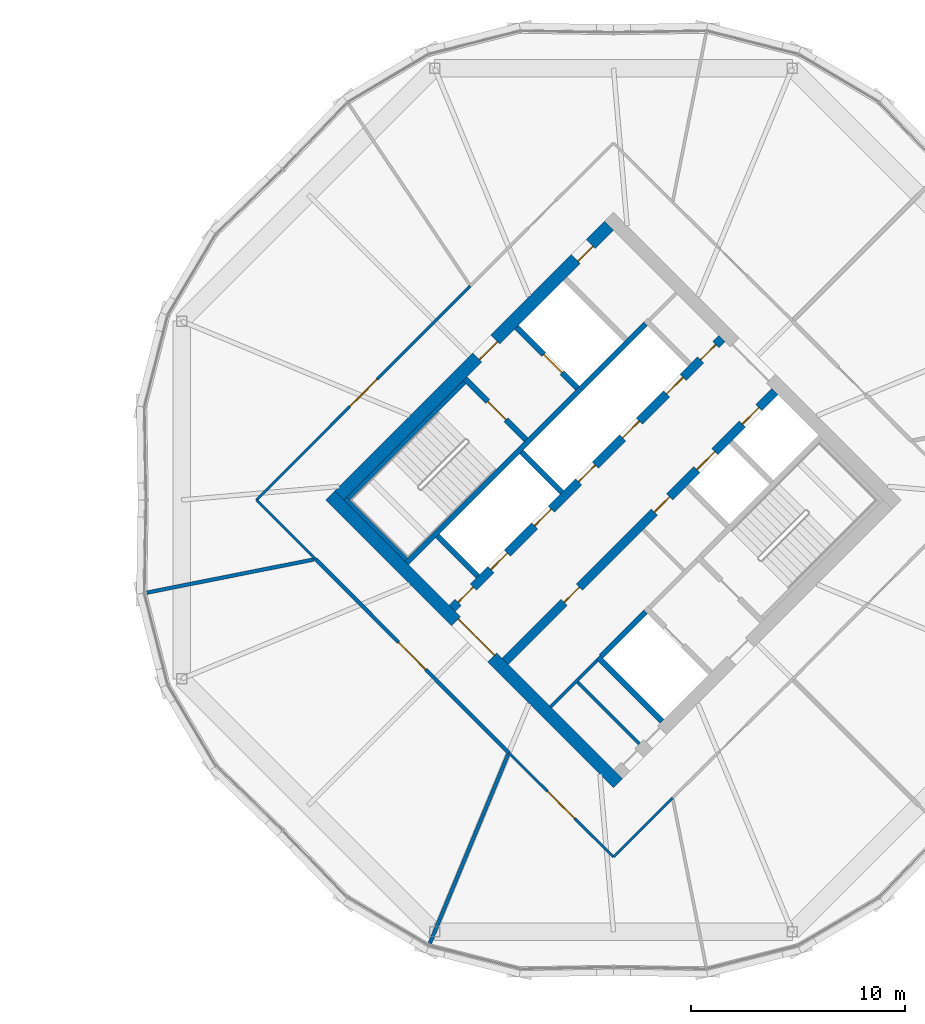
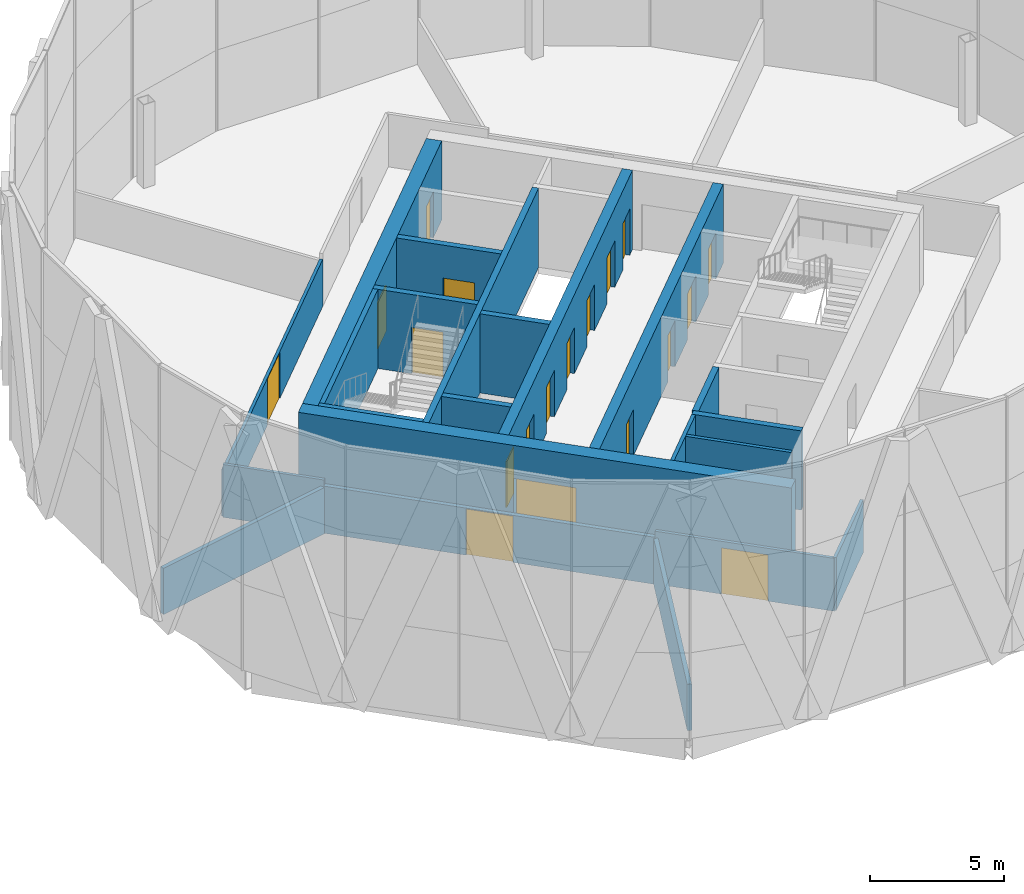
# One storey, part 19 of 23: 22 walls, 19 doors, 19 openings.
"""IFC4 building model written with IfcOpenShell, lengths in metres."""

from ifc_helpers import new_model, si_unit, direction, frame, frame_2d, origin, place, context, subcontext, project, spatial, rectangle, extrude, material, layer, layer_set, type_object, element, fill, save


model = new_model("IFC4")

# Units and contexts
model_context = context("Model", 3, precision=1e-05, world=origin(), true_north=direction((0.0, 1.0)))
body_context = subcontext(model_context, "Body", "Model", "MODEL_VIEW")
ifc_project = project(units=[si_unit("LENGTHUNIT", "METRE"), si_unit("AREAUNIT", "SQUARE_METRE"), si_unit("VOLUMEUNIT", "CUBIC_METRE"), si_unit("PLANEANGLEUNIT", "RADIAN"), si_unit("MASSUNIT", "GRAM", prefix="KILO")], contexts=[model_context])

# Site, building, storey
site_placement = place(None, origin())
site = spatial("IfcSite", under=ifc_project, at=site_placement, CompositionType="ELEMENT")
building_placement = place(site_placement, origin())
building = spatial("IfcBuilding", under=site, at=building_placement, Name="Ogive Gate Towers", CompositionType="ELEMENT")
storey_placement = place(building_placement, frame((0.0, 0.0, 177.300048828125)))
storey = spatial("IfcBuildingStorey", under=building, at=storey_placement, Name="L42", CompositionType="ELEMENT", Elevation=177.300048828125)

# Walls
ifc_material_1 = material(Name="Gypsum board acoustic partition")
ifc_layer_1 = layer(ifc_material_1, 0.175048828125)
ifc_layer_set_1 = layer_set([ifc_layer_1], Name="Acoustic partition 175")
wall_type_1 = type_object("IfcWallType", Name="Acoustic partition 175", PredefinedType="PARTITIONING", material=ifc_layer_set_1)
wall_1_placement = place(storey_placement, frame((14.215576171875, -4.324951171875, 0.0), z_axis=(0.0, 0.0, 1.0), x_axis=(0.980858380129, 0.19472246437, 0.0)))
element("IfcWall", 1, at=wall_1_placement, inside=storey, type_object=wall_type_1, Name="Partition T2-L42-005", PredefinedType="PARTITIONING", context=body_context, shape_type="SweptSolid", body=[
    extrude(rectangle(XDim=7.951416015625, YDim=0.175048828125, at=frame_2d((3.9755859375, 0.0))), origin(), (0.0, 0.0, 1.0), 2.099853515625),
])
wall_2_placement = place(storey_placement, frame((27.424072265625, -20.7041015625, 0.0), z_axis=(0.0, 0.0, 1.0), x_axis=(0.38267612342, 0.923882559942, 0.0)))
element("IfcWall", 2, at=wall_2_placement, inside=storey, type_object=wall_type_1, Name="Partition T2-L42-006", PredefinedType="PARTITIONING", context=body_context, shape_type="SweptSolid", body=[
    extrude(rectangle(XDim=9.55126953125, YDim=0.175048828125, at=frame_2d((4.775634765625, 0.0))), origin(), (0.0, 0.0, 1.0), 2.099853515625),
])

# Wall, opening, door
wall_3_placement = place(storey_placement, frame((22.1005859375, -2.759521484375, 0.0), z_axis=(0.0, 0.0, 1.0), x_axis=(0.706044450355, -0.708167518405, 0.0)))
wall_3 = element("IfcWall", 3, at=wall_3_placement, inside=storey, type_object=wall_type_1, Name="Partition T2-L42-014", PredefinedType="PARTITIONING", context=body_context, shape_type="SweptSolid", body=[
    extrude(rectangle(XDim=12.764404296875, YDim=0.175048828125, at=frame_2d((6.38232421875, 0.0))), origin(), (0.0, 0.0, 1.0), 2.139892578125),
])
opening_1_placement = place(wall_3_placement, frame((5.48193359375, 0.0, 0.0)))
opening_1 = element("IfcOpeningElement", 4, at=opening_1_placement, cuts=wall_3, Name="Opening T2-L42-D04", PredefinedType="OPENING", context=body_context, shape_type="SweptSolid", body=[
    extrude(rectangle(XDim=1.800048828125, YDim=2.10009765625, at=frame_2d((0.89990234375, 1.050048828125))), frame((0.0, 0.09765625, 0.0), z_axis=(0.0, -1.0, 0.0), x_axis=(1.0, 0.0, 0.0)), (0.0, 0.0, 1.0), 0.195068359375),
])
ifc_material_2 = material(Name="Timber door", Category="wood")
door_type_1 = type_object("IfcDoorType", Name="Door pair 1800", OperationType="NOTDEFINED", PredefinedType="DOOR", material=ifc_material_2)
door_1_placement = place(opening_1_placement, origin())
door_1 = element("IfcDoor", 5, at=door_1_placement, inside=storey, type_object=door_type_1, Name="Door T2-L42-D04", OperationType="DOUBLE_DOOR_DOUBLE_SWING", OverallHeight=2.10009765625, OverallWidth=1.800048828125, PredefinedType="DOOR", context=body_context, shape_type="SweptSolid", body=[
    extrude(rectangle(XDim=1.800048828125, YDim=2.10009765625, at=frame_2d((0.89990234375, 1.050048828125))), frame((0.0, 0.02490234375, 0.0), z_axis=(0.0, -1.0, 0.0), x_axis=(1.0, 0.0, 0.0)), (0.0, 0.0, 1.0), 0.050048828125),
])
fill(opening_1, door_1)

# Wall, openings, doors
ifc_material_3 = material(Name="Concrete C60/75", Category="concrete")
ifc_layer_2 = layer(ifc_material_3, 0.60009765625)
ifc_layer_set_2 = layer_set([ifc_layer_2], Name="Core wall 600 mm")
wall_type_2 = type_object("IfcWallType", Name="Core wall 600 mm", PredefinedType="SHEAR", material=ifc_layer_set_2)
wall_4_placement = place(storey_placement, frame((23.201416015625, 0.212158203125, 0.0), z_axis=(0.0, 0.0, 1.0), x_axis=(0.707106781187, 0.707106781187, 0.0)))
wall_4 = element("IfcWall", 6, at=wall_4_placement, inside=storey, type_object=wall_type_2, Name="T2 L42 Core wall 600 mm", PredefinedType="SHEAR", context=body_context, shape_type="SweptSolid", body=[
    extrude(rectangle(XDim=17.7998046875, YDim=0.60009765625, at=frame_2d((8.89990234375, 0.0))), origin(), (0.0, 0.0, 1.0), 3.599853515625),
])
opening_2_placement = place(wall_4_placement, frame((9.10009765625, 0.0, 0.0)))
opening_2 = element("IfcOpeningElement", 7, at=opening_2_placement, cuts=wall_4, Name="Opening KD-T2-L42-18", PredefinedType="OPENING", context=body_context, shape_type="SweptSolid", body=[
    extrude(rectangle(XDim=1.199951171875, YDim=2.10009765625, at=frame_2d((0.60009765625, 1.050048828125))), frame((0.0, 0.31005859375, 0.0), z_axis=(0.0, -1.0, 0.0), x_axis=(1.0, 0.0, 0.0)), (0.0, 0.0, 1.0), 0.6201171875),
])
opening_3_placement = place(wall_4_placement, frame((15.60009765625, 0.0, 0.0)))
opening_3 = element("IfcOpeningElement", 8, at=opening_3_placement, cuts=wall_4, Name="Opening KD-T2-L42-20", PredefinedType="OPENING", context=body_context, shape_type="SweptSolid", body=[
    extrude(rectangle(XDim=1.0, YDim=2.10009765625, at=frame_2d((0.5, 1.050048828125))), frame((0.0, 0.31005859375, 0.0), z_axis=(0.0, -1.0, 0.0), x_axis=(1.0, 0.0, 0.0)), (0.0, 0.0, 1.0), 0.6201171875),
])
door_type_2 = type_object("IfcDoorType", Name="Accessible WC door 1000 x 2100", OperationType="NOTDEFINED", PredefinedType="DOOR", material=ifc_material_2)
door_2_placement = place(opening_3_placement, origin())
door_2 = element("IfcDoor", 9, at=door_2_placement, inside=storey, type_object=door_type_2, Name="T2 L42 Core door", OperationType="SINGLE_SWING_LEFT", OverallHeight=2.10009765625, OverallWidth=1.0, PredefinedType="DOOR", context=body_context, shape_type="SweptSolid", body=[
    extrude(rectangle(XDim=1.0, YDim=2.10009765625, at=frame_2d((0.5, 1.050048828125))), frame((0.0, -0.125, 0.0), z_axis=(0.0, -1.0, 0.0), x_axis=(1.0, 0.0, 0.0)), (0.0, 0.0, 1.0), 0.050048828125),
])
fill(opening_3, door_2)
ifc_material_4 = material(Name="Steel fire door", Category="steel")
door_type_3 = type_object("IfcDoorType", Name="Core door FD60S 1200 x 2100", OperationType="NOTDEFINED", PredefinedType="DOOR", material=ifc_material_4)
door_3_placement = place(opening_2_placement, origin())
door_3 = element("IfcDoor", 10, at=door_3_placement, inside=storey, type_object=door_type_3, Name="T2 L42 Fire-fighting lobby door", OperationType="SINGLE_SWING_LEFT", OverallHeight=2.10009765625, OverallWidth=1.199951171875, PredefinedType="DOOR", context=body_context, shape_type="SweptSolid", body=[
    extrude(rectangle(XDim=1.199951171875, YDim=2.10009765625, at=frame_2d((0.60009765625, 1.050048828125))), frame((0.0, -0.125, 0.0), z_axis=(0.0, -1.0, 0.0), x_axis=(1.0, 0.0, 0.0)), (0.0, 0.0, 1.0), 0.050048828125),
])
fill(opening_2, door_3)

# Wall, opening, door
wall_5_placement = place(storey_placement, frame((36.212158203125, -13.222900390625, 0.0), z_axis=(0.0, 0.0, 1.0), x_axis=(-0.707106781187, 0.707106781187, 0.0)))
wall_5 = element("IfcWall", 11, at=wall_5_placement, inside=storey, type_object=wall_type_2, Name="T2 L42 Core wall 600 mm", PredefinedType="SHEAR", context=body_context, shape_type="SweptSolid", body=[
    extrude(rectangle(XDim=19.0, YDim=0.60009765625, at=frame_2d((9.5, 0.0))), origin(), (0.0, 0.0, 1.0), 3.599853515625),
])
opening_4_placement = place(wall_5_placement, frame((8.300048828125, 0.0, 0.0)))
opening_4 = element("IfcOpeningElement", 12, at=opening_4_placement, cuts=wall_5, Name="Opening KD-T2-L42-01", PredefinedType="OPENING", context=body_context, shape_type="SweptSolid", body=[
    extrude(rectangle(XDim=2.39990234375, YDim=2.10009765625, at=frame_2d((1.199951171875, 1.050048828125))), frame((0.0, 0.31005859375, 0.0), z_axis=(0.0, -1.0, 0.0), x_axis=(1.0, 0.0, 0.0)), (0.0, 0.0, 1.0), 0.6201171875),
])
door_type_4 = type_object("IfcDoorType", Name="Core double door FD60S 2400 x 2100", OperationType="DOUBLE_DOOR_SINGLE_SWING", PredefinedType="DOOR", material=ifc_material_4)
door_4_placement = place(opening_4_placement, origin())
door_4 = element("IfcDoor", 13, at=door_4_placement, inside=storey, type_object=door_type_4, Name="T2 L42 Core door double", OperationType="DOUBLE_DOOR_SINGLE_SWING", OverallHeight=2.10009765625, OverallWidth=2.39990234375, PredefinedType="DOOR", context=body_context, shape_type="SweptSolid", body=[
    extrude(rectangle(XDim=2.39990234375, YDim=2.10009765625, at=frame_2d((1.199951171875, 1.050048828125))), frame((0.0, -0.125, 0.0), z_axis=(0.0, -1.0, 0.0), x_axis=(1.0, 0.0, 0.0)), (0.0, 0.0, 1.0), 0.050048828125),
])
fill(opening_4, door_4)

ifc_material_5 = material(Name="Gypsum board partition")
ifc_layer_3 = layer(ifc_material_5, 0.125)
ifc_layer_set_3 = layer_set([ifc_layer_3], Name="Partition 125")
wall_type_3 = type_object("IfcWallType", Name="Partition 125", PredefinedType="PARTITIONING", material=ifc_layer_set_3)
wall_6_placement = place(storey_placement, frame((29.318115234375, 9.9921875, 0.0), z_axis=(0.0, 0.0, 1.0), x_axis=(-0.706587905496, -0.707625276405, 0.0)))
wall_6 = element("IfcWall", 14, at=wall_6_placement, inside=storey, type_object=wall_type_3, Name="Partition T2-L42-012", PredefinedType="PARTITIONING", context=body_context, shape_type="SweptSolid", body=[
    extrude(rectangle(XDim=14.120849609375, YDim=0.125, at=frame_2d((7.060546875, 0.0))), origin(), (0.0, 0.0, 1.0), 2.139892578125),
])
opening_5_placement = place(wall_6_placement, frame((6.159912109375, 0.0, 0.0)))
opening_5 = element("IfcOpeningElement", 15, at=opening_5_placement, cuts=wall_6, Name="Opening T2-L42-D03", PredefinedType="OPENING", context=body_context, shape_type="SweptSolid", body=[
    extrude(rectangle(XDim=1.800048828125, YDim=2.10009765625, at=frame_2d((0.89990234375, 1.050048828125))), frame((0.0, 0.072509765625, 0.0), z_axis=(0.0, -1.0, 0.0), x_axis=(1.0, 0.0, 0.0)), (0.0, 0.0, 1.0), 0.14501953125),
])
door_5_placement = place(opening_5_placement, origin())
door_5 = element("IfcDoor", 16, at=door_5_placement, inside=storey, type_object=door_type_1, Name="Door T2-L42-D03", OperationType="DOUBLE_DOOR_DOUBLE_SWING", OverallHeight=2.10009765625, OverallWidth=1.800048828125, PredefinedType="DOOR", context=body_context, shape_type="SweptSolid", body=[
    extrude(rectangle(XDim=1.800048828125, YDim=2.10009765625, at=frame_2d((0.89990234375, 1.050048828125))), frame((0.0, 0.02490234375, 0.0), z_axis=(0.0, -1.0, 0.0), x_axis=(1.0, 0.0, 0.0)), (0.0, 0.0, 1.0), 0.050048828125),
])
fill(opening_5, door_5)

# Wall
wall_7_placement = place(storey_placement, frame((19.340576171875, 0.0, 0.0), z_axis=(0.0, 0.0, 1.0), x_axis=(0.707169332098, -0.707044224741, 0.0)))
element("IfcWall", 17, at=wall_7_placement, inside=storey, type_object=wall_type_3, Name="Partition T2-L42-013", PredefinedType="PARTITIONING", context=body_context, shape_type="SweptSolid", body=[
    extrude(rectangle(XDim=3.90283203125, YDim=0.125, at=frame_2d((1.951416015625, 0.0))), origin(), (0.0, 0.0, 1.0), 2.39990234375),
])

# Wall, opening, door
wall_8_placement = place(storey_placement, frame((31.11279296875, -11.798828125, 0.0), z_axis=(0.0, 0.0, 1.0), x_axis=(0.709034527983, -0.705173764492, 0.0)))
wall_8 = element("IfcWall", 18, at=wall_8_placement, inside=storey, type_object=wall_type_3, Name="Partition T2-L42-015", PredefinedType="PARTITIONING", context=body_context, shape_type="SweptSolid", body=[
    extrude(rectangle(XDim=6.892822265625, YDim=0.125, at=frame_2d((3.4462890625, 0.0))), origin(), (0.0, 0.0, 1.0), 2.39990234375),
])
opening_6_placement = place(wall_8_placement, frame((2.5458984375, 0.0, 0.0)))
opening_6 = element("IfcOpeningElement", 19, at=opening_6_placement, cuts=wall_8, Name="Opening T2-L42-D05", PredefinedType="OPENING", context=body_context, shape_type="SweptSolid", body=[
    extrude(rectangle(XDim=1.800048828125, YDim=2.10009765625, at=frame_2d((0.89990234375, 1.050048828125))), frame((0.0, 0.072509765625, 0.0), z_axis=(0.0, -1.0, 0.0), x_axis=(1.0, 0.0, 0.0)), (0.0, 0.0, 1.0), 0.14501953125),
])
door_6_placement = place(opening_6_placement, origin())
door_6 = element("IfcDoor", 20, at=door_6_placement, inside=storey, type_object=door_type_1, Name="Door T2-L42-D05", OperationType="DOUBLE_DOOR_DOUBLE_SWING", OverallHeight=2.10009765625, OverallWidth=1.800048828125, PredefinedType="DOOR", context=body_context, shape_type="SweptSolid", body=[
    extrude(rectangle(XDim=1.800048828125, YDim=2.10009765625, at=frame_2d((0.89990234375, 1.050048828125))), frame((0.0, 0.02490234375, 0.0), z_axis=(0.0, -1.0, 0.0), x_axis=(1.0, 0.0, 0.0)), (0.0, 0.0, 1.0), 0.050048828125),
])
fill(opening_6, door_6)

# Walls
wall_9_placement = place(storey_placement, frame((36.0, -16.659423828125, 0.0), z_axis=(0.0, 0.0, 1.0), x_axis=(0.707044224741, 0.707169332098, 0.0)))
element("IfcWall", 21, at=wall_9_placement, inside=storey, type_object=wall_type_3, Name="Partition T2-L42-016", PredefinedType="PARTITIONING", context=body_context, shape_type="SweptSolid", body=[
    extrude(rectangle(XDim=3.90283203125, YDim=0.125, at=frame_2d((1.951416015625, 0.0))), origin(), (0.0, 0.0, 1.0), 2.39990234375),
])
ifc_layer_4 = layer(ifc_material_5, 0.14990234375)
ifc_layer_set_4 = layer_set([ifc_layer_4], Name="Room partition 150 mm")
wall_type_4 = type_object("IfcWallType", Name="Room partition 150 mm", PredefinedType="PARTITIONING", material=ifc_layer_set_4)
wall_10_placement = place(storey_placement, frame((33.0654296875, -9.652099609375, 0.0), z_axis=(0.0, 0.0, 1.0), x_axis=(0.707146476181, 0.707067083964, 0.0)))
element("IfcWall", 22, at=wall_10_placement, inside=storey, type_object=wall_type_4, Name="T2 L42 Room partition 150 mm", PredefinedType="PARTITIONING", context=body_context, shape_type="SweptSolid", body=[
    extrude(rectangle(XDim=3.0751953125, YDim=0.14990234375, at=frame_2d((1.53759765625, 0.0))), origin(), (0.0, 0.0, 1.0), 3.599853515625),
])
wall_11_placement = place(storey_placement, frame((37.2021484375, -11.384521484375, 0.0), z_axis=(0.0, 0.0, 1.0), x_axis=(-0.707106781187, 0.707106781187, 0.0)))
element("IfcWall", 23, at=wall_11_placement, inside=storey, type_object=wall_type_4, Name="T2 L42 Room partition 150 mm", PredefinedType="PARTITIONING", context=body_context, shape_type="SweptSolid", body=[
    extrude(rectangle(XDim=4.0751953125, YDim=0.14990234375, at=frame_2d((2.03759765625, 0.0))), origin(), (0.0, 0.0, 1.0), 3.599853515625),
])
ifc_layer_5 = layer(ifc_material_3, 0.25)
ifc_layer_set_5 = layer_set([ifc_layer_5], Name="Shaft wall 250 mm")
wall_type_5 = type_object("IfcWallType", Name="Shaft wall 250 mm", PredefinedType="SHEAR", material=ifc_layer_set_5)
wall_12_placement = place(storey_placement, frame((35.41650390625, -7.30078125, 0.0), z_axis=(0.0, 0.0, 1.0), x_axis=(0.707148157867, 0.707065402085, 0.0)))
element("IfcWall", 24, at=wall_12_placement, inside=storey, type_object=wall_type_5, Name="T2 L42 Shaft wall 250 mm", PredefinedType="SHEAR", context=body_context, shape_type="SweptSolid", body=[
    extrude(rectangle(XDim=2.9501953125, YDim=0.25, at=frame_2d((1.47509765625, 0.0))), origin(), (0.0, 0.0, 1.0), 3.599853515625),
])
wall_13_placement = place(storey_placement, frame((26.347900390625, -2.9345703125, 0.0), z_axis=(0.0, 0.0, 1.0), x_axis=(0.707106781187, 0.707106781187, 0.0)))
element("IfcWall", 25, at=wall_13_placement, inside=storey, type_object=wall_type_5, Name="T2 L42 Shaft wall 250 mm", PredefinedType="SHEAR", context=body_context, shape_type="SweptSolid", body=[
    extrude(rectangle(XDim=15.775146484375, YDim=0.25, at=frame_2d((7.8876953125, 0.0))), origin(), (0.0, 0.0, 1.0), 3.599853515625),
])
wall_14_placement = place(storey_placement, frame((29.67138671875, -3.57080078125, 0.0), z_axis=(0.0, 0.0, 1.0), x_axis=(-0.707152414227, 0.707061145201, 0.0)))
element("IfcWall", 26, at=wall_14_placement, inside=storey, type_object=wall_type_5, Name="T2 L42 Shaft wall 250 mm", PredefinedType="SHEAR", context=body_context, shape_type="SweptSolid", body=[
    extrude(rectangle(XDim=2.675048828125, YDim=0.25, at=frame_2d((1.33740234375, 0.0))), origin(), (0.0, 0.0, 1.0), 3.599853515625),
])
wall_15_placement = place(storey_placement, frame((38.2626953125, -10.32373046875, 0.0), z_axis=(0.0, 0.0, 1.0), x_axis=(-0.707106781187, 0.707106781187, 0.0)))
element("IfcWall", 27, at=wall_15_placement, inside=storey, type_object=wall_type_5, Name="T2 L42 Shaft wall 250 mm", PredefinedType="SHEAR", context=body_context, shape_type="SweptSolid", body=[
    extrude(rectangle(XDim=4.22509765625, YDim=0.25, at=frame_2d((2.112548828125, 0.0))), origin(), (0.0, 0.0, 1.0), 3.599853515625),
])
wall_16_placement = place(storey_placement, frame((33.595703125, 0.353515625, 0.0), z_axis=(0.0, 0.0, 1.0), x_axis=(-0.707061145201, 0.707152414227, 0.0)))
element("IfcWall", 28, at=wall_16_placement, inside=storey, type_object=wall_type_5, Name="T2 L42 Shaft wall 250 mm", PredefinedType="SHEAR", context=body_context, shape_type="SweptSolid", body=[
    extrude(rectangle(XDim=2.675048828125, YDim=0.25, at=frame_2d((1.33740234375, 0.0))), origin(), (0.0, 0.0, 1.0), 3.599853515625),
])

# Wall, opening, door
wall_17_placement = place(storey_placement, frame((31.91650390625, 2.810791015625, 0.0), z_axis=(0.0, 0.0, 1.0), x_axis=(-0.707106781187, 0.707106781187, 0.0)))
wall_17 = element("IfcWall", 29, at=wall_17_placement, inside=storey, type_object=wall_type_5, Name="T2 L42 Shaft wall 250 mm", PredefinedType="SHEAR", context=body_context, shape_type="SweptSolid", body=[
    extrude(rectangle(XDim=4.025146484375, YDim=0.25, at=frame_2d((2.0126953125, 0.0))), origin(), (0.0, 0.0, 1.0), 3.599853515625),
])
opening_7_placement = place(wall_17_placement, frame((1.324951171875, 0.0, 0.0)))
opening_7 = element("IfcOpeningElement", 30, at=opening_7_placement, cuts=wall_17, Name="Opening KD-T2-L42-16", PredefinedType="OPENING", context=body_context, shape_type="SweptSolid", body=[
    extrude(rectangle(XDim=1.199951171875, YDim=2.10009765625, at=frame_2d((0.60009765625, 1.050048828125))), frame((0.0, 0.135009765625, 0.0), z_axis=(0.0, -1.0, 0.0), x_axis=(1.0, 0.0, 0.0)), (0.0, 0.0, 1.0), 0.27001953125),
])
door_7_placement = place(opening_7_placement, origin())
door_7 = element("IfcDoor", 31, at=door_7_placement, inside=storey, type_object=door_type_3, Name="T2 L42 Stair door", OperationType="SINGLE_SWING_LEFT", OverallHeight=2.10009765625, OverallWidth=1.199951171875, PredefinedType="DOOR", context=body_context, shape_type="SweptSolid", body=[
    extrude(rectangle(XDim=1.199951171875, YDim=2.10009765625, at=frame_2d((0.60009765625, 1.050048828125))), frame((0.0, 0.02490234375, 0.0), z_axis=(0.0, -1.0, 0.0), x_axis=(1.0, 0.0, 0.0)), (0.0, 0.0, 1.0), 0.050048828125),
])
fill(opening_7, door_7)

wall_18_placement = place(storey_placement, frame((34.320556640625, 5.21484375, 0.0), z_axis=(0.0, 0.0, 1.0), x_axis=(-0.70707645213, 0.707137108942, 0.0)))
wall_18 = element("IfcWall", 32, at=wall_18_placement, inside=storey, type_object=wall_type_5, Name="T2 L42 Shaft wall 250 mm", PredefinedType="SHEAR", context=body_context, shape_type="SweptSolid", body=[
    extrude(rectangle(XDim=4.02490234375, YDim=0.25, at=frame_2d((2.012451171875, 0.0))), origin(), (0.0, 0.0, 1.0), 3.599853515625),
])
opening_8_placement = place(wall_18_placement, frame((1.02490234375, 0.0, 0.0)))
opening_8 = element("IfcOpeningElement", 33, at=opening_8_placement, cuts=wall_18, Name="Opening LD-T2-L42-12", PredefinedType="OPENING", context=body_context, shape_type="SweptSolid", body=[
    extrude(rectangle(XDim=1.199951171875, YDim=2.10009765625, at=frame_2d((0.60009765625, 1.050048828125))), frame((0.0, 0.135009765625, 0.0), z_axis=(0.0, -1.0, 0.0), x_axis=(1.0, 0.0, 0.0)), (0.0, 0.0, 1.0), 0.27001953125),
])
ifc_material_6 = material(Name="Stainless steel landing door", Category="steel")
door_type_5 = type_object("IfcDoorType", Name="Landing door 1200 x 2100", OperationType="SLIDING_TO_LEFT", PredefinedType="DOOR", material=ifc_material_6)
door_8_placement = place(opening_8_placement, origin())
door_8 = element("IfcDoor", 34, at=door_8_placement, inside=storey, type_object=door_type_5, Name="T2 L42 Lift landing door FF1", OperationType="SLIDING_TO_LEFT", OverallHeight=2.10009765625, OverallWidth=1.199951171875, PredefinedType="DOOR", context=body_context, shape_type="SweptSolid", body=[
    extrude(rectangle(XDim=1.199951171875, YDim=2.10009765625, at=frame_2d((0.60009765625, 1.050048828125))), frame((0.0, 0.02490234375, 0.0), z_axis=(0.0, -1.0, 0.0), x_axis=(1.0, 0.0, 0.0)), (0.0, 0.0, 1.0), 0.050048828125),
])
fill(opening_8, door_8)

# Wall, openings, doors
ifc_layer_6 = layer(ifc_material_3, 0.39990234375)
ifc_layer_set_6 = layer_set([ifc_layer_6], Name="Spine wall 400 mm")
wall_type_6 = type_object("IfcWallType", Name="Spine wall 400 mm", PredefinedType="SHEAR", material=ifc_layer_set_6)
wall_19_placement = place(storey_placement, frame((30.944091796875, -7.53076171875, 0.0), z_axis=(0.0, 0.0, 1.0), x_axis=(0.707106781187, 0.707106781187, 0.0)))
wall_19 = element("IfcWall", 35, at=wall_19_placement, inside=storey, type_object=wall_type_6, Name="T2 L42 Spine wall 400 mm", PredefinedType="SHEAR", context=body_context, shape_type="SweptSolid", body=[
    extrude(rectangle(XDim=17.80029296875, YDim=0.39990234375, at=frame_2d((8.900146484375, 0.0))), origin(), (0.0, 0.0, 1.0), 3.599853515625),
])
opening_9_placement = place(wall_19_placement, frame((12.64990234375, 0.0, 0.0)))
opening_9 = element("IfcOpeningElement", 36, at=opening_9_placement, cuts=wall_19, Name="Opening LD-T2-L42-10", PredefinedType="OPENING", context=body_context, shape_type="SweptSolid", body=[
    extrude(rectangle(XDim=1.199951171875, YDim=2.10009765625, at=frame_2d((0.60009765625, 1.050048828125))), frame((0.0, 0.2099609375, 0.0), z_axis=(0.0, -1.0, 0.0), x_axis=(1.0, 0.0, 0.0)), (0.0, 0.0, 1.0), 0.419921875),
])
opening_10_placement = place(wall_19_placement, frame((15.64990234375, 0.0, 0.0)))
opening_10 = element("IfcOpeningElement", 37, at=opening_10_placement, cuts=wall_19, Name="Opening LD-T2-L42-11", PredefinedType="OPENING", context=body_context, shape_type="SweptSolid", body=[
    extrude(rectangle(XDim=1.10009765625, YDim=2.10009765625, at=frame_2d((0.550048828125, 1.050048828125))), frame((0.0, 0.2099609375, 0.0), z_axis=(0.0, -1.0, 0.0), x_axis=(1.0, 0.0, 0.0)), (0.0, 0.0, 1.0), 0.419921875),
])
opening_11_placement = place(wall_19_placement, frame((3.89990234375, 0.0, 0.0)))
opening_11 = element("IfcOpeningElement", 38, at=opening_11_placement, cuts=wall_19, Name="Opening KD-T2-L42-14", PredefinedType="OPENING", context=body_context, shape_type="SweptSolid", body=[
    extrude(rectangle(XDim=1.0, YDim=2.10009765625, at=frame_2d((0.5, 1.050048828125))), frame((0.0, 0.2099609375, 0.0), z_axis=(0.0, -1.0, 0.0), x_axis=(1.0, 0.0, 0.0)), (0.0, 0.0, 1.0), 0.419921875),
])
opening_12_placement = place(wall_19_placement, frame((9.85009765625, 0.0, 0.0)))
opening_12 = element("IfcOpeningElement", 39, at=opening_12_placement, cuts=wall_19, Name="Opening KD-T2-L42-15", PredefinedType="OPENING", context=body_context, shape_type="SweptSolid", body=[
    extrude(rectangle(XDim=1.0, YDim=2.10009765625, at=frame_2d((0.5, 1.050048828125))), frame((0.0, 0.2099609375, 0.0), z_axis=(0.0, -1.0, 0.0), x_axis=(1.0, 0.0, 0.0)), (0.0, 0.0, 1.0), 0.419921875),
])
door_type_6 = type_object("IfcDoorType", Name="Core door FD60S 1000 x 2100", OperationType="NOTDEFINED", PredefinedType="DOOR", material=ifc_material_4)
door_9_placement = place(opening_11_placement, origin())
door_9 = element("IfcDoor", 40, at=door_9_placement, inside=storey, type_object=door_type_6, Name="T2 L42 Core door", OperationType="SINGLE_SWING_LEFT", OverallHeight=2.10009765625, OverallWidth=1.0, PredefinedType="DOOR", context=body_context, shape_type="SweptSolid", body=[
    extrude(rectangle(XDim=1.0, YDim=2.10009765625, at=frame_2d((0.5, 1.050048828125))), frame((0.0, 0.02490234375, 0.0), z_axis=(0.0, -1.0, 0.0), x_axis=(1.0, 0.0, 0.0)), (0.0, 0.0, 1.0), 0.050048828125),
])
fill(opening_11, door_9)
door_10_placement = place(opening_12_placement, origin())
door_10 = element("IfcDoor", 41, at=door_10_placement, inside=storey, type_object=door_type_6, Name="T2 L42 Core door", OperationType="SINGLE_SWING_RIGHT", OverallHeight=2.10009765625, OverallWidth=1.0, PredefinedType="DOOR", context=body_context, shape_type="SweptSolid", body=[
    extrude(rectangle(XDim=1.0, YDim=2.10009765625, at=frame_2d((0.5, 1.050048828125))), frame((0.0, 0.02490234375, 0.0), z_axis=(0.0, -1.0, 0.0), x_axis=(1.0, 0.0, 0.0)), (0.0, 0.0, 1.0), 0.050048828125),
])
fill(opening_12, door_10)
door_type_7 = type_object("IfcDoorType", Name="Landing door 1100 x 2100", OperationType="SLIDING_TO_LEFT", PredefinedType="DOOR", material=ifc_material_6)
door_11_placement = place(opening_10_placement, origin())
door_11 = element("IfcDoor", 42, at=door_11_placement, inside=storey, type_object=door_type_7, Name="T2 L42 Lift landing door B6", OperationType="SLIDING_TO_LEFT", OverallHeight=2.10009765625, OverallWidth=1.10009765625, PredefinedType="DOOR", context=body_context, shape_type="SweptSolid", body=[
    extrude(rectangle(XDim=1.10009765625, YDim=2.10009765625, at=frame_2d((0.550048828125, 1.050048828125))), frame((0.0, 0.02490234375, 0.0), z_axis=(0.0, -1.0, 0.0), x_axis=(1.0, 0.0, 0.0)), (0.0, 0.0, 1.0), 0.050048828125),
])
fill(opening_10, door_11)
door_12_placement = place(opening_9_placement, origin())
door_12 = element("IfcDoor", 43, at=door_12_placement, inside=storey, type_object=door_type_5, Name="T2 L42 Lift landing door SVC", OperationType="SLIDING_TO_LEFT", OverallHeight=2.10009765625, OverallWidth=1.199951171875, PredefinedType="DOOR", context=body_context, shape_type="SweptSolid", body=[
    extrude(rectangle(XDim=1.199951171875, YDim=2.10009765625, at=frame_2d((0.60009765625, 1.050048828125))), frame((0.0, 0.02490234375, 0.0), z_axis=(0.0, -1.0, 0.0), x_axis=(1.0, 0.0, 0.0)), (0.0, 0.0, 1.0), 0.050048828125),
])
fill(opening_9, door_12)

wall_20_placement = place(storey_placement, frame((28.46923828125, -5.055908203125, 0.0), z_axis=(0.0, 0.0, 1.0), x_axis=(0.707106781187, 0.707106781187, 0.0)))
wall_20 = element("IfcWall", 44, at=wall_20_placement, inside=storey, type_object=wall_type_6, Name="T2 L42 Spine wall 400 mm", PredefinedType="SHEAR", context=body_context, shape_type="SweptSolid", body=[
    extrude(rectangle(XDim=17.80029296875, YDim=0.39990234375, at=frame_2d((8.900146484375, 0.0))), origin(), (0.0, 0.0, 1.0), 3.599853515625),
])
opening_13_placement = place(wall_20_placement, frame((0.39990234375, 0.0, 0.0)))
opening_13 = element("IfcOpeningElement", 45, at=opening_13_placement, cuts=wall_20, Name="Opening KD-T2-L42-03", PredefinedType="OPENING", context=body_context, shape_type="SweptSolid", body=[
    extrude(rectangle(XDim=1.0, YDim=2.10009765625, at=frame_2d((0.5, 1.050048828125))), frame((0.0, 0.2099609375, 0.0), z_axis=(0.0, -1.0, 0.0), x_axis=(1.0, 0.0, 0.0)), (0.0, 0.0, 1.0), 0.419921875),
])
opening_14_placement = place(wall_20_placement, frame((2.550048828125, 0.0, 0.0)))
opening_14 = element("IfcOpeningElement", 46, at=opening_14_placement, cuts=wall_20, Name="Opening LD-T2-L42-04", PredefinedType="OPENING", context=body_context, shape_type="SweptSolid", body=[
    extrude(rectangle(XDim=1.10009765625, YDim=2.10009765625, at=frame_2d((0.550048828125, 1.050048828125))), frame((0.0, 0.2099609375, 0.0), z_axis=(0.0, -1.0, 0.0), x_axis=(1.0, 0.0, 0.0)), (0.0, 0.0, 1.0), 0.419921875),
])
opening_15_placement = place(wall_20_placement, frame((5.449951171875, 0.0, 0.0)))
opening_15 = element("IfcOpeningElement", 47, at=opening_15_placement, cuts=wall_20, Name="Opening LD-T2-L42-05", PredefinedType="OPENING", context=body_context, shape_type="SweptSolid", body=[
    extrude(rectangle(XDim=1.10009765625, YDim=2.10009765625, at=frame_2d((0.550048828125, 1.050048828125))), frame((0.0, 0.2099609375, 0.0), z_axis=(0.0, -1.0, 0.0), x_axis=(1.0, 0.0, 0.0)), (0.0, 0.0, 1.0), 0.419921875),
])
opening_16_placement = place(wall_20_placement, frame((8.35009765625, 0.0, 0.0)))
opening_16 = element("IfcOpeningElement", 48, at=opening_16_placement, cuts=wall_20, Name="Opening LD-T2-L42-06", PredefinedType="OPENING", context=body_context, shape_type="SweptSolid", body=[
    extrude(rectangle(XDim=1.10009765625, YDim=2.10009765625, at=frame_2d((0.550048828125, 1.050048828125))), frame((0.0, 0.2099609375, 0.0), z_axis=(0.0, -1.0, 0.0), x_axis=(1.0, 0.0, 0.0)), (0.0, 0.0, 1.0), 0.419921875),
])
opening_17_placement = place(wall_20_placement, frame((11.25, 0.0, 0.0)))
opening_17 = element("IfcOpeningElement", 49, at=opening_17_placement, cuts=wall_20, Name="Opening LD-T2-L42-07", PredefinedType="OPENING", context=body_context, shape_type="SweptSolid", body=[
    extrude(rectangle(XDim=1.10009765625, YDim=2.10009765625, at=frame_2d((0.550048828125, 1.050048828125))), frame((0.0, 0.2099609375, 0.0), z_axis=(0.0, -1.0, 0.0), x_axis=(1.0, 0.0, 0.0)), (0.0, 0.0, 1.0), 0.419921875),
])
opening_18_placement = place(wall_20_placement, frame((14.14990234375, 0.0, 0.0)))
opening_18 = element("IfcOpeningElement", 50, at=opening_18_placement, cuts=wall_20, Name="Opening LD-T2-L42-08", PredefinedType="OPENING", context=body_context, shape_type="SweptSolid", body=[
    extrude(rectangle(XDim=1.10009765625, YDim=2.10009765625, at=frame_2d((0.550048828125, 1.050048828125))), frame((0.0, 0.2099609375, 0.0), z_axis=(0.0, -1.0, 0.0), x_axis=(1.0, 0.0, 0.0)), (0.0, 0.0, 1.0), 0.419921875),
])
opening_19_placement = place(wall_20_placement, frame((16.39990234375, 0.0, 0.0)))
opening_19 = element("IfcOpeningElement", 51, at=opening_19_placement, cuts=wall_20, Name="Opening KD-T2-L42-09", PredefinedType="OPENING", context=body_context, shape_type="SweptSolid", body=[
    extrude(rectangle(XDim=1.0, YDim=2.10009765625, at=frame_2d((0.5, 1.050048828125))), frame((0.0, 0.2099609375, 0.0), z_axis=(0.0, -1.0, 0.0), x_axis=(1.0, 0.0, 0.0)), (0.0, 0.0, 1.0), 0.419921875),
])
door_13_placement = place(opening_13_placement, origin())
door_13 = element("IfcDoor", 52, at=door_13_placement, inside=storey, type_object=door_type_6, Name="T2 L42 Core door", OperationType="SINGLE_SWING_RIGHT", OverallHeight=2.10009765625, OverallWidth=1.0, PredefinedType="DOOR", context=body_context, shape_type="SweptSolid", body=[
    extrude(rectangle(XDim=1.0, YDim=2.10009765625, at=frame_2d((0.5, 1.050048828125))), frame((0.0, 0.02490234375, 0.0), z_axis=(0.0, -1.0, 0.0), x_axis=(1.0, 0.0, 0.0)), (0.0, 0.0, 1.0), 0.050048828125),
])
fill(opening_13, door_13)
door_14_placement = place(opening_19_placement, origin())
door_14 = element("IfcDoor", 53, at=door_14_placement, inside=storey, type_object=door_type_6, Name="T2 L42 Core door", OperationType="SINGLE_SWING_RIGHT", OverallHeight=2.10009765625, OverallWidth=1.0, PredefinedType="DOOR", context=body_context, shape_type="SweptSolid", body=[
    extrude(rectangle(XDim=1.0, YDim=2.10009765625, at=frame_2d((0.5, 1.050048828125))), frame((0.0, 0.02490234375, 0.0), z_axis=(0.0, -1.0, 0.0), x_axis=(1.0, 0.0, 0.0)), (0.0, 0.0, 1.0), 0.050048828125),
])
fill(opening_19, door_14)
door_15_placement = place(opening_14_placement, origin())
door_15 = element("IfcDoor", 54, at=door_15_placement, inside=storey, type_object=door_type_7, Name="T2 L42 Lift landing door B1", OperationType="SLIDING_TO_LEFT", OverallHeight=2.10009765625, OverallWidth=1.10009765625, PredefinedType="DOOR", context=body_context, shape_type="SweptSolid", body=[
    extrude(rectangle(XDim=1.10009765625, YDim=2.10009765625, at=frame_2d((0.550048828125, 1.050048828125))), frame((0.0, 0.02490234375, 0.0), z_axis=(0.0, -1.0, 0.0), x_axis=(1.0, 0.0, 0.0)), (0.0, 0.0, 1.0), 0.050048828125),
])
fill(opening_14, door_15)
door_16_placement = place(opening_15_placement, origin())
door_16 = element("IfcDoor", 55, at=door_16_placement, inside=storey, type_object=door_type_7, Name="T2 L42 Lift landing door B2", OperationType="SLIDING_TO_LEFT", OverallHeight=2.10009765625, OverallWidth=1.10009765625, PredefinedType="DOOR", context=body_context, shape_type="SweptSolid", body=[
    extrude(rectangle(XDim=1.10009765625, YDim=2.10009765625, at=frame_2d((0.550048828125, 1.050048828125))), frame((0.0, 0.02490234375, 0.0), z_axis=(0.0, -1.0, 0.0), x_axis=(1.0, 0.0, 0.0)), (0.0, 0.0, 1.0), 0.050048828125),
])
fill(opening_15, door_16)
door_17_placement = place(opening_16_placement, origin())
door_17 = element("IfcDoor", 56, at=door_17_placement, inside=storey, type_object=door_type_7, Name="T2 L42 Lift landing door B3", OperationType="SLIDING_TO_LEFT", OverallHeight=2.10009765625, OverallWidth=1.10009765625, PredefinedType="DOOR", context=body_context, shape_type="SweptSolid", body=[
    extrude(rectangle(XDim=1.10009765625, YDim=2.10009765625, at=frame_2d((0.550048828125, 1.050048828125))), frame((0.0, 0.02490234375, 0.0), z_axis=(0.0, -1.0, 0.0), x_axis=(1.0, 0.0, 0.0)), (0.0, 0.0, 1.0), 0.050048828125),
])
fill(opening_16, door_17)
door_18_placement = place(opening_17_placement, origin())
door_18 = element("IfcDoor", 57, at=door_18_placement, inside=storey, type_object=door_type_7, Name="T2 L42 Lift landing door B4", OperationType="SLIDING_TO_LEFT", OverallHeight=2.10009765625, OverallWidth=1.10009765625, PredefinedType="DOOR", context=body_context, shape_type="SweptSolid", body=[
    extrude(rectangle(XDim=1.10009765625, YDim=2.10009765625, at=frame_2d((0.550048828125, 1.050048828125))), frame((0.0, 0.02490234375, 0.0), z_axis=(0.0, -1.0, 0.0), x_axis=(1.0, 0.0, 0.0)), (0.0, 0.0, 1.0), 0.050048828125),
])
fill(opening_17, door_18)
door_19_placement = place(opening_18_placement, origin())
door_19 = element("IfcDoor", 58, at=door_19_placement, inside=storey, type_object=door_type_7, Name="T2 L42 Lift landing door B5", OperationType="SLIDING_TO_LEFT", OverallHeight=2.10009765625, OverallWidth=1.10009765625, PredefinedType="DOOR", context=body_context, shape_type="SweptSolid", body=[
    extrude(rectangle(XDim=1.10009765625, YDim=2.10009765625, at=frame_2d((0.550048828125, 1.050048828125))), frame((0.0, 0.02490234375, 0.0), z_axis=(0.0, -1.0, 0.0), x_axis=(1.0, 0.0, 0.0)), (0.0, 0.0, 1.0), 0.050048828125),
])
fill(opening_18, door_19)

# Walls
ifc_layer_7 = layer(ifc_material_3, 0.199951171875)
ifc_layer_set_7 = layer_set([ifc_layer_7], Name="Stair wall 200 mm")
wall_type_7 = type_object("IfcWallType", Name="Stair wall 200 mm", PredefinedType="SHEAR", material=ifc_layer_set_7)
wall_21_placement = place(storey_placement, frame((23.62548828125, 0.07080078125, 0.0), z_axis=(0.0, 0.0, 1.0), x_axis=(0.707122685701, 0.707090876314, 0.0)))
element("IfcWall", 59, at=wall_21_placement, inside=storey, type_object=wall_type_7, Name="T2 L42 Stair wall 200 mm", PredefinedType="SHEAR", context=body_context, shape_type="SweptSolid", body=[
    extrude(rectangle(XDim=7.675048828125, YDim=0.199951171875, at=frame_2d((3.83740234375, 0.0))), origin(), (0.0, 0.0, 1.0), 3.599853515625),
])
wall_22_placement = place(storey_placement, frame((26.330322265625, -2.775390625, 0.0), z_axis=(0.0, 0.0, 1.0), x_axis=(-0.707106781187, 0.707106781187, 0.0)))
element("IfcWall", 60, at=wall_22_placement, inside=storey, type_object=wall_type_7, Name="T2 L42 Stair wall 200 mm", PredefinedType="SHEAR", context=body_context, shape_type="SweptSolid", body=[
    extrude(rectangle(XDim=4.025146484375, YDim=0.199951171875, at=frame_2d((2.0126953125, 0.0))), origin(), (0.0, 0.0, 1.0), 3.599853515625),
])

save(model, "model.ifc")
